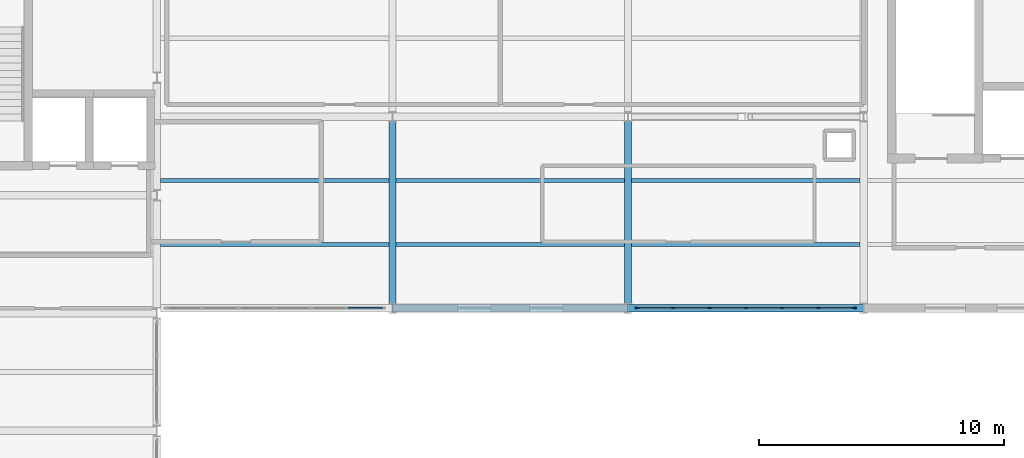
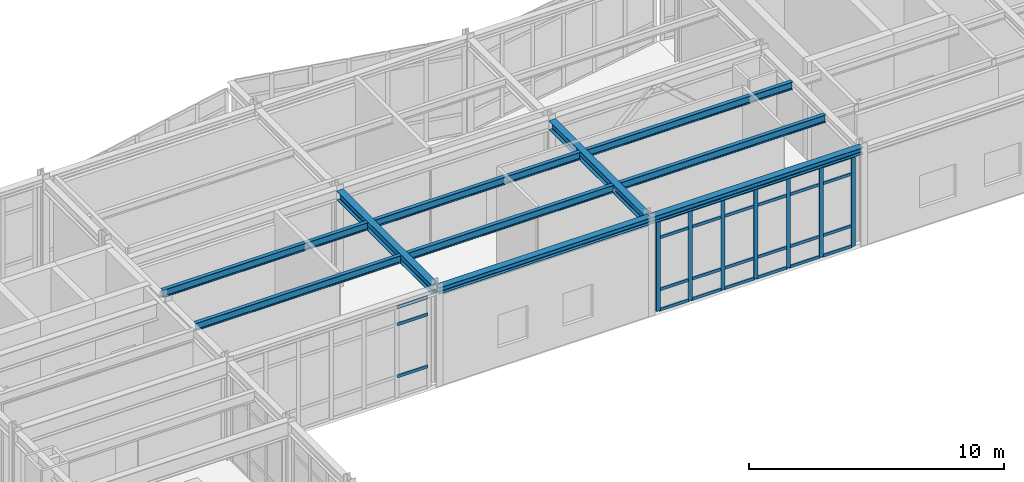
# One storey, part 10 of 28: 34 members, 10 beams, 2 elements without a shape of their own.
"""IFC4 building model written with IfcOpenShell, lengths in metres."""

from ifc_helpers import new_model, si_unit, direction, frame, origin, origin_2d, place, context, subcontext, project, spatial, rectangle, i_section, extrude, material, layer, layer_set, material_profile, profile_set, type_object, element, aggregate, save


model = new_model("IFC4")

# Units and contexts
model_context = context("Model", 3, precision=1e-05, world=origin(), true_north=direction((0.0, 1.0)))
body_context = subcontext(model_context, "Body", "Model", "MODEL_VIEW")
ifc_project = project(units=[si_unit("LENGTHUNIT", "METRE"), si_unit("AREAUNIT", "SQUARE_METRE"), si_unit("VOLUMEUNIT", "CUBIC_METRE"), si_unit("PLANEANGLEUNIT", "RADIAN"), si_unit("MASSUNIT", "GRAM", prefix="KILO")], contexts=[model_context])

# Site, building, storey
site_placement = place(None, origin())
site = spatial("IfcSite", under=ifc_project, at=site_placement, CompositionType="ELEMENT")
building_placement = place(site_placement, origin())
building = spatial("IfcBuilding", under=site, at=building_placement, Name="Nordkorset Police Headquarters", CompositionType="ELEMENT")
storey_placement = place(building_placement, frame((0.0, 0.0, 26.25)))
storey = spatial("IfcBuildingStorey", under=building, at=storey_placement, Name="L06", CompositionType="ELEMENT", Elevation=26.25)

# Beams
ifc_material_1 = material(Name="Steel S355J2", Category="steel")
ifc_material_profile_1 = material_profile(ifc_material_1, i_section(OverallWidth=0.169921875, OverallDepth=0.360107421875, WebThickness=0.008056640625, FlangeThickness=0.0126953125, FilletRadius=0.01806640625, at=origin_2d()), Name="IPE 360")
ifc_profile_set_1 = profile_set([ifc_material_profile_1], Name="Steel S355J2")
beam_type_1 = type_object("IfcBeamType", Name="Beam_IPE_360", PredefinedType="BEAM", material=ifc_profile_set_1)
for number, where, z_axis, x_axis, name in (
    (1, (28.949951171875, 105.199951171875, 4.485107421875), (1.0, 0.0, 0.0), (0.0, 1.0, 0.0), "Composite Floor Beam V2 L06 0-0-1"),
    (2, (28.949951171875, 107.800048828125, 4.485107421875), (1.0, 0.0, 0.0), (0.0, 1.0, 0.0), "Composite Floor Beam V2 L06 0-0-2"),
    (3, (38.550048828125, 105.199951171875, 4.485107421875), (1.0, 0.0, 0.0), (0.0, 1.0, 0.0), "Composite Floor Beam V2 L06 1-0-1"),
    (4, (38.550048828125, 107.800048828125, 4.485107421875), (1.0, 0.0, 0.0), (0.0, 1.0, 0.0), "Composite Floor Beam V2 L06 1-0-2"),
    (5, (48.14990234375, 105.199951171875, 4.485107421875), (1.0, 0.0, 0.0), (0.0, 1.0, 0.0), "Composite Floor Beam V2 L06 2-0-1"),
    (6, (48.14990234375, 107.800048828125, 4.485107421875), (1.0, 0.0, 0.0), (0.0, 1.0, 0.0), "Composite Floor Beam V2 L06 2-0-2"),
):
    element("IfcBeam", number, at=place(storey_placement, frame(where, z_axis=z_axis, x_axis=x_axis)), inside=storey, type_object=beam_type_1, Name=name, PredefinedType="BEAM", context=body_context, shape_type="SweptSolid", body=[
        extrude(i_section(OverallWidth=0.169921875, OverallDepth=0.360107421875, WebThickness=0.008056640625, FlangeThickness=0.0126953125, FilletRadius=0.01806640625, at=origin_2d()), origin(), (0.0, 0.0, 1.0), 9.300048828125),
    ])

# Curtain wall, members
ifc_material_2 = material(Name="Aluminium alloy AW-6060", Category="aluminium")
ifc_layer = layer(ifc_material_2, 0.179931640625, Name="Aluminium alloy AW-6060")
ifc_layer_set = layer_set([ifc_layer], Name="Aluminium alloy AW-6060")
curtain_wall_type = type_object("IfcCurtainWallType", Name="CW_Unit_888x434", PredefinedType="USERDEFINED", material=ifc_layer_set)
curtain_wall_1_placement = place(storey_placement, origin())
curtain_wall_1 = element("IfcCurtainWall", 7, at=curtain_wall_1_placement, inside=storey, type_object=curtain_wall_type, Name="Unitised Curtain Wall L06 V2S-2", ObjectType="UNITISED CURTAIN WALL", PredefinedType="USERDEFINED")
ifc_material_3 = material(Name="Aluminium alloy AW-6060", Category="aluminium")
ifc_material_profile_2 = material_profile(ifc_material_3, rectangle(XDim=0.06494140625, YDim=0.179931640625, at=origin_2d()), Name="ALU MULL 65x180")
ifc_profile_set_2 = profile_set([ifc_material_profile_2], Name="Aluminium alloy AW-6060")
member_type_1 = type_object("IfcMemberType", Name="CW_Mullion_65x180", PredefinedType="MULLION", material=ifc_profile_set_2)
member_1_placement = place(storey_placement, frame((48.392578125, 102.60009765625, 0.0), z_axis=(0.0, 0.0, 1.0), x_axis=(0.0, 1.0, 0.0)))
member_1 = element("IfcMember", 8, at=member_1_placement, type_object=member_type_1, Name="CW-74 mullion 1", PredefinedType="MULLION", context=body_context, shape_type="SweptSolid", body=[
    extrude(rectangle(XDim=0.06494140625, YDim=0.179931640625, at=origin_2d()), origin(), (0.0, 0.0, 1.0), 4.3349609375),
])
member_2_placement = place(storey_placement, frame((49.840087890625, 102.60009765625, 0.0), z_axis=(0.0, 0.0, 1.0), x_axis=(0.0, 1.0, 0.0)))
member_2 = element("IfcMember", 9, at=member_2_placement, type_object=member_type_1, Name="CW-74 mullion 2", PredefinedType="MULLION", context=body_context, shape_type="SweptSolid", body=[
    extrude(rectangle(XDim=0.06494140625, YDim=0.179931640625, at=origin_2d()), origin(), (0.0, 0.0, 1.0), 4.3349609375),
])
member_3_placement = place(storey_placement, frame((51.320068359375, 102.60009765625, 0.0), z_axis=(0.0, 0.0, 1.0), x_axis=(0.0, 1.0, 0.0)))
member_3 = element("IfcMember", 10, at=member_3_placement, type_object=member_type_1, Name="CW-74 mullion 3", PredefinedType="MULLION", context=body_context, shape_type="SweptSolid", body=[
    extrude(rectangle(XDim=0.06494140625, YDim=0.179931640625, at=origin_2d()), origin(), (0.0, 0.0, 1.0), 4.3349609375),
])
member_4_placement = place(storey_placement, frame((52.800048828125, 102.60009765625, 0.0), z_axis=(0.0, 0.0, 1.0), x_axis=(0.0, 1.0, 0.0)))
member_4 = element("IfcMember", 11, at=member_4_placement, type_object=member_type_1, Name="CW-74 mullion 4", PredefinedType="MULLION", context=body_context, shape_type="SweptSolid", body=[
    extrude(rectangle(XDim=0.06494140625, YDim=0.179931640625, at=origin_2d()), origin(), (0.0, 0.0, 1.0), 4.3349609375),
])
member_5_placement = place(storey_placement, frame((54.280029296875, 102.60009765625, 0.0), z_axis=(0.0, 0.0, 1.0), x_axis=(0.0, 1.0, 0.0)))
member_5 = element("IfcMember", 12, at=member_5_placement, type_object=member_type_1, Name="CW-74 mullion 5", PredefinedType="MULLION", context=body_context, shape_type="SweptSolid", body=[
    extrude(rectangle(XDim=0.06494140625, YDim=0.179931640625, at=origin_2d()), origin(), (0.0, 0.0, 1.0), 4.3349609375),
])
member_6_placement = place(storey_placement, frame((55.760009765625, 102.60009765625, 0.0), z_axis=(0.0, 0.0, 1.0), x_axis=(0.0, 1.0, 0.0)))
member_6 = element("IfcMember", 13, at=member_6_placement, type_object=member_type_1, Name="CW-74 mullion 6", PredefinedType="MULLION", context=body_context, shape_type="SweptSolid", body=[
    extrude(rectangle(XDim=0.06494140625, YDim=0.179931640625, at=origin_2d()), origin(), (0.0, 0.0, 1.0), 4.3349609375),
])
member_7_placement = place(storey_placement, frame((57.20751953125, 102.60009765625, 0.0), z_axis=(0.0, 0.0, 1.0), x_axis=(0.0, 1.0, 0.0)))
member_7 = element("IfcMember", 14, at=member_7_placement, type_object=member_type_1, Name="CW-74 mullion 7", PredefinedType="MULLION", context=body_context, shape_type="SweptSolid", body=[
    extrude(rectangle(XDim=0.06494140625, YDim=0.179931640625, at=origin_2d()), origin(), (0.0, 0.0, 1.0), 4.3349609375),
])

curtain_wall_2_placement = place(storey_placement, origin())
curtain_wall_2 = element("IfcCurtainWall", 15, at=curtain_wall_2_placement, inside=storey, type_object=curtain_wall_type, Name="Unitised Curtain Wall L06 V2S-0", ObjectType="UNITISED CURTAIN WALL", PredefinedType="USERDEFINED")
ifc_material_4 = material(Name="Aluminium alloy AW-6060", Category="aluminium")
ifc_material_profile_3 = material_profile(ifc_material_4, rectangle(XDim=0.06494140625, YDim=0.139892578125, at=origin_2d()), Name="ALU TRAN 65x140")
ifc_profile_set_3 = profile_set([ifc_material_profile_3], Name="Aluminium alloy AW-6060")
member_type_2 = type_object("IfcMemberType", Name="CW_Transom_65x140", PredefinedType="USERDEFINED", material=ifc_profile_set_3)
member_8_placement = place(storey_placement, frame((36.592529296875, 102.60009765625, 1.0), z_axis=(1.0, 0.0, 0.0), x_axis=(0.0, 1.0, 0.0)))
member_8 = element("IfcMember", 16, at=member_8_placement, type_object=member_type_2, Name="CW-74 transom 6.2", ObjectType="TRANSOM", PredefinedType="USERDEFINED", context=body_context, shape_type="SweptSolid", body=[
    extrude(rectangle(XDim=0.06494140625, YDim=0.139892578125, at=origin_2d()), origin(), (0.0, 0.0, 1.0), 1.382568359375),
])
member_9_placement = place(storey_placement, frame((36.592529296875, 102.60009765625, 3.485107421875), z_axis=(1.0, 0.0, 0.0), x_axis=(0.0, 1.0, 0.0)))
member_9 = element("IfcMember", 17, at=member_9_placement, type_object=member_type_2, Name="CW-74 transom 6.3", ObjectType="TRANSOM", PredefinedType="USERDEFINED", context=body_context, shape_type="SweptSolid", body=[
    extrude(rectangle(XDim=0.06494140625, YDim=0.139892578125, at=origin_2d()), origin(), (0.0, 0.0, 1.0), 1.382568359375),
])
member_10_placement = place(storey_placement, frame((36.592529296875, 102.60009765625, 4.302490234375), z_axis=(1.0, 0.0, 0.0), x_axis=(0.0, 1.0, 0.0)))
member_10 = element("IfcMember", 18, at=member_10_placement, type_object=member_type_2, Name="CW-74 transom 6.4", ObjectType="TRANSOM", PredefinedType="USERDEFINED", context=body_context, shape_type="SweptSolid", body=[
    extrude(rectangle(XDim=0.06494140625, YDim=0.139892578125, at=origin_2d()), origin(), (0.0, 0.0, 1.0), 1.382568359375),
])
aggregate(curtain_wall_2, [member_8, member_9, member_10])

# Member
member_11_placement = place(storey_placement, frame((48.425048828125, 102.60009765625, 0.032470703125), z_axis=(1.0, 0.0, 0.0), x_axis=(0.0, 1.0, 0.0)))
member_11 = element("IfcMember", 19, at=member_11_placement, type_object=member_type_2, Name="CW-74 transom 1.1", ObjectType="TRANSOM", PredefinedType="USERDEFINED", context=body_context, shape_type="SweptSolid", body=[
    extrude(rectangle(XDim=0.06494140625, YDim=0.139892578125, at=origin_2d()), origin(), (0.0, 0.0, 1.0), 1.382568359375),
])

member_12_placement = place(storey_placement, frame((48.425048828125, 102.60009765625, 1.0), z_axis=(1.0, 0.0, 0.0), x_axis=(0.0, 1.0, 0.0)))
member_12 = element("IfcMember", 20, at=member_12_placement, type_object=member_type_2, Name="CW-74 transom 1.2", ObjectType="TRANSOM", PredefinedType="USERDEFINED", context=body_context, shape_type="SweptSolid", body=[
    extrude(rectangle(XDim=0.06494140625, YDim=0.139892578125, at=origin_2d()), origin(), (0.0, 0.0, 1.0), 1.382568359375),
])

member_13_placement = place(storey_placement, frame((48.425048828125, 102.60009765625, 3.485107421875), z_axis=(1.0, 0.0, 0.0), x_axis=(0.0, 1.0, 0.0)))
member_13 = element("IfcMember", 21, at=member_13_placement, type_object=member_type_2, Name="CW-74 transom 1.3", ObjectType="TRANSOM", PredefinedType="USERDEFINED", context=body_context, shape_type="SweptSolid", body=[
    extrude(rectangle(XDim=0.06494140625, YDim=0.139892578125, at=origin_2d()), origin(), (0.0, 0.0, 1.0), 1.382568359375),
])

member_14_placement = place(storey_placement, frame((48.425048828125, 102.60009765625, 4.302490234375), z_axis=(1.0, 0.0, 0.0), x_axis=(0.0, 1.0, 0.0)))
member_14 = element("IfcMember", 22, at=member_14_placement, type_object=member_type_2, Name="CW-74 transom 1.4", ObjectType="TRANSOM", PredefinedType="USERDEFINED", context=body_context, shape_type="SweptSolid", body=[
    extrude(rectangle(XDim=0.06494140625, YDim=0.139892578125, at=origin_2d()), origin(), (0.0, 0.0, 1.0), 1.382568359375),
])

member_15_placement = place(storey_placement, frame((49.87255859375, 102.60009765625, 0.032470703125), z_axis=(1.0, 0.0, 0.0), x_axis=(0.0, 1.0, 0.0)))
member_15 = element("IfcMember", 23, at=member_15_placement, type_object=member_type_2, Name="CW-74 transom 2.1", ObjectType="TRANSOM", PredefinedType="USERDEFINED", context=body_context, shape_type="SweptSolid", body=[
    extrude(rectangle(XDim=0.06494140625, YDim=0.139892578125, at=origin_2d()), origin(), (0.0, 0.0, 1.0), 1.4150390625),
])

member_16_placement = place(storey_placement, frame((49.87255859375, 102.60009765625, 1.0), z_axis=(1.0, 0.0, 0.0), x_axis=(0.0, 1.0, 0.0)))
member_16 = element("IfcMember", 24, at=member_16_placement, type_object=member_type_2, Name="CW-74 transom 2.2", ObjectType="TRANSOM", PredefinedType="USERDEFINED", context=body_context, shape_type="SweptSolid", body=[
    extrude(rectangle(XDim=0.06494140625, YDim=0.139892578125, at=origin_2d()), origin(), (0.0, 0.0, 1.0), 1.4150390625),
])

member_17_placement = place(storey_placement, frame((49.87255859375, 102.60009765625, 3.485107421875), z_axis=(1.0, 0.0, 0.0), x_axis=(0.0, 1.0, 0.0)))
member_17 = element("IfcMember", 25, at=member_17_placement, type_object=member_type_2, Name="CW-74 transom 2.3", ObjectType="TRANSOM", PredefinedType="USERDEFINED", context=body_context, shape_type="SweptSolid", body=[
    extrude(rectangle(XDim=0.06494140625, YDim=0.139892578125, at=origin_2d()), origin(), (0.0, 0.0, 1.0), 1.4150390625),
])

member_18_placement = place(storey_placement, frame((49.87255859375, 102.60009765625, 4.302490234375), z_axis=(1.0, 0.0, 0.0), x_axis=(0.0, 1.0, 0.0)))
member_18 = element("IfcMember", 26, at=member_18_placement, type_object=member_type_2, Name="CW-74 transom 2.4", ObjectType="TRANSOM", PredefinedType="USERDEFINED", context=body_context, shape_type="SweptSolid", body=[
    extrude(rectangle(XDim=0.06494140625, YDim=0.139892578125, at=origin_2d()), origin(), (0.0, 0.0, 1.0), 1.4150390625),
])

member_19_placement = place(storey_placement, frame((51.3525390625, 102.60009765625, 0.032470703125), z_axis=(1.0, 0.0, 0.0), x_axis=(0.0, 1.0, 0.0)))
member_19 = element("IfcMember", 27, at=member_19_placement, type_object=member_type_2, Name="CW-74 transom 3.1", ObjectType="TRANSOM", PredefinedType="USERDEFINED", context=body_context, shape_type="SweptSolid", body=[
    extrude(rectangle(XDim=0.06494140625, YDim=0.139892578125, at=origin_2d()), origin(), (0.0, 0.0, 1.0), 1.4150390625),
])

member_20_placement = place(storey_placement, frame((51.3525390625, 102.60009765625, 1.0), z_axis=(1.0, 0.0, 0.0), x_axis=(0.0, 1.0, 0.0)))
member_20 = element("IfcMember", 28, at=member_20_placement, type_object=member_type_2, Name="CW-74 transom 3.2", ObjectType="TRANSOM", PredefinedType="USERDEFINED", context=body_context, shape_type="SweptSolid", body=[
    extrude(rectangle(XDim=0.06494140625, YDim=0.139892578125, at=origin_2d()), origin(), (0.0, 0.0, 1.0), 1.4150390625),
])

member_21_placement = place(storey_placement, frame((51.3525390625, 102.60009765625, 3.485107421875), z_axis=(1.0, 0.0, 0.0), x_axis=(0.0, 1.0, 0.0)))
member_21 = element("IfcMember", 29, at=member_21_placement, type_object=member_type_2, Name="CW-74 transom 3.3", ObjectType="TRANSOM", PredefinedType="USERDEFINED", context=body_context, shape_type="SweptSolid", body=[
    extrude(rectangle(XDim=0.06494140625, YDim=0.139892578125, at=origin_2d()), origin(), (0.0, 0.0, 1.0), 1.4150390625),
])

member_22_placement = place(storey_placement, frame((51.3525390625, 102.60009765625, 4.302490234375), z_axis=(1.0, 0.0, 0.0), x_axis=(0.0, 1.0, 0.0)))
member_22 = element("IfcMember", 30, at=member_22_placement, type_object=member_type_2, Name="CW-74 transom 3.4", ObjectType="TRANSOM", PredefinedType="USERDEFINED", context=body_context, shape_type="SweptSolid", body=[
    extrude(rectangle(XDim=0.06494140625, YDim=0.139892578125, at=origin_2d()), origin(), (0.0, 0.0, 1.0), 1.4150390625),
])

member_23_placement = place(storey_placement, frame((52.83251953125, 102.60009765625, 0.032470703125), z_axis=(1.0, 0.0, 0.0), x_axis=(0.0, 1.0, 0.0)))
member_23 = element("IfcMember", 31, at=member_23_placement, type_object=member_type_2, Name="CW-74 transom 4.1", ObjectType="TRANSOM", PredefinedType="USERDEFINED", context=body_context, shape_type="SweptSolid", body=[
    extrude(rectangle(XDim=0.06494140625, YDim=0.139892578125, at=origin_2d()), origin(), (0.0, 0.0, 1.0), 1.4150390625),
])

member_24_placement = place(storey_placement, frame((52.83251953125, 102.60009765625, 1.0), z_axis=(1.0, 0.0, 0.0), x_axis=(0.0, 1.0, 0.0)))
member_24 = element("IfcMember", 32, at=member_24_placement, type_object=member_type_2, Name="CW-74 transom 4.2", ObjectType="TRANSOM", PredefinedType="USERDEFINED", context=body_context, shape_type="SweptSolid", body=[
    extrude(rectangle(XDim=0.06494140625, YDim=0.139892578125, at=origin_2d()), origin(), (0.0, 0.0, 1.0), 1.4150390625),
])

member_25_placement = place(storey_placement, frame((52.83251953125, 102.60009765625, 3.485107421875), z_axis=(1.0, 0.0, 0.0), x_axis=(0.0, 1.0, 0.0)))
member_25 = element("IfcMember", 33, at=member_25_placement, type_object=member_type_2, Name="CW-74 transom 4.3", ObjectType="TRANSOM", PredefinedType="USERDEFINED", context=body_context, shape_type="SweptSolid", body=[
    extrude(rectangle(XDim=0.06494140625, YDim=0.139892578125, at=origin_2d()), origin(), (0.0, 0.0, 1.0), 1.4150390625),
])

member_26_placement = place(storey_placement, frame((52.83251953125, 102.60009765625, 4.302490234375), z_axis=(1.0, 0.0, 0.0), x_axis=(0.0, 1.0, 0.0)))
member_26 = element("IfcMember", 34, at=member_26_placement, type_object=member_type_2, Name="CW-74 transom 4.4", ObjectType="TRANSOM", PredefinedType="USERDEFINED", context=body_context, shape_type="SweptSolid", body=[
    extrude(rectangle(XDim=0.06494140625, YDim=0.139892578125, at=origin_2d()), origin(), (0.0, 0.0, 1.0), 1.4150390625),
])

member_27_placement = place(storey_placement, frame((54.3125, 102.60009765625, 0.032470703125), z_axis=(1.0, 0.0, 0.0), x_axis=(0.0, 1.0, 0.0)))
member_27 = element("IfcMember", 35, at=member_27_placement, type_object=member_type_2, Name="CW-74 transom 5.1", ObjectType="TRANSOM", PredefinedType="USERDEFINED", context=body_context, shape_type="SweptSolid", body=[
    extrude(rectangle(XDim=0.06494140625, YDim=0.139892578125, at=origin_2d()), origin(), (0.0, 0.0, 1.0), 1.4150390625),
])

member_28_placement = place(storey_placement, frame((54.3125, 102.60009765625, 1.0), z_axis=(1.0, 0.0, 0.0), x_axis=(0.0, 1.0, 0.0)))
member_28 = element("IfcMember", 36, at=member_28_placement, type_object=member_type_2, Name="CW-74 transom 5.2", ObjectType="TRANSOM", PredefinedType="USERDEFINED", context=body_context, shape_type="SweptSolid", body=[
    extrude(rectangle(XDim=0.06494140625, YDim=0.139892578125, at=origin_2d()), origin(), (0.0, 0.0, 1.0), 1.4150390625),
])

member_29_placement = place(storey_placement, frame((54.3125, 102.60009765625, 3.485107421875), z_axis=(1.0, 0.0, 0.0), x_axis=(0.0, 1.0, 0.0)))
member_29 = element("IfcMember", 37, at=member_29_placement, type_object=member_type_2, Name="CW-74 transom 5.3", ObjectType="TRANSOM", PredefinedType="USERDEFINED", context=body_context, shape_type="SweptSolid", body=[
    extrude(rectangle(XDim=0.06494140625, YDim=0.139892578125, at=origin_2d()), origin(), (0.0, 0.0, 1.0), 1.4150390625),
])

member_30_placement = place(storey_placement, frame((54.3125, 102.60009765625, 4.302490234375), z_axis=(1.0, 0.0, 0.0), x_axis=(0.0, 1.0, 0.0)))
member_30 = element("IfcMember", 38, at=member_30_placement, type_object=member_type_2, Name="CW-74 transom 5.4", ObjectType="TRANSOM", PredefinedType="USERDEFINED", context=body_context, shape_type="SweptSolid", body=[
    extrude(rectangle(XDim=0.06494140625, YDim=0.139892578125, at=origin_2d()), origin(), (0.0, 0.0, 1.0), 1.4150390625),
])

member_31_placement = place(storey_placement, frame((55.79248046875, 102.60009765625, 0.032470703125), z_axis=(1.0, 0.0, 0.0), x_axis=(0.0, 1.0, 0.0)))
member_31 = element("IfcMember", 39, at=member_31_placement, type_object=member_type_2, Name="CW-74 transom 6.1", ObjectType="TRANSOM", PredefinedType="USERDEFINED", context=body_context, shape_type="SweptSolid", body=[
    extrude(rectangle(XDim=0.06494140625, YDim=0.139892578125, at=origin_2d()), origin(), (0.0, 0.0, 1.0), 1.382568359375),
])

member_32_placement = place(storey_placement, frame((55.79248046875, 102.60009765625, 1.0), z_axis=(1.0, 0.0, 0.0), x_axis=(0.0, 1.0, 0.0)))
member_32 = element("IfcMember", 40, at=member_32_placement, type_object=member_type_2, Name="CW-74 transom 6.2", ObjectType="TRANSOM", PredefinedType="USERDEFINED", context=body_context, shape_type="SweptSolid", body=[
    extrude(rectangle(XDim=0.06494140625, YDim=0.139892578125, at=origin_2d()), origin(), (0.0, 0.0, 1.0), 1.382568359375),
])

member_33_placement = place(storey_placement, frame((55.79248046875, 102.60009765625, 3.485107421875), z_axis=(1.0, 0.0, 0.0), x_axis=(0.0, 1.0, 0.0)))
member_33 = element("IfcMember", 41, at=member_33_placement, type_object=member_type_2, Name="CW-74 transom 6.3", ObjectType="TRANSOM", PredefinedType="USERDEFINED", context=body_context, shape_type="SweptSolid", body=[
    extrude(rectangle(XDim=0.06494140625, YDim=0.139892578125, at=origin_2d()), origin(), (0.0, 0.0, 1.0), 1.382568359375),
])

member_34_placement = place(storey_placement, frame((55.79248046875, 102.60009765625, 4.302490234375), z_axis=(1.0, 0.0, 0.0), x_axis=(0.0, 1.0, 0.0)))
member_34 = element("IfcMember", 42, at=member_34_placement, type_object=member_type_2, Name="CW-74 transom 6.4", ObjectType="TRANSOM", PredefinedType="USERDEFINED", context=body_context, shape_type="SweptSolid", body=[
    extrude(rectangle(XDim=0.06494140625, YDim=0.139892578125, at=origin_2d()), origin(), (0.0, 0.0, 1.0), 1.382568359375),
])

aggregate(curtain_wall_1, [member_1, member_2, member_3, member_4, member_5, member_6, member_7, member_11, member_12, member_13, member_14, member_15, member_16, member_17, member_18, member_19, member_20, member_21, member_22, member_23, member_24, member_25, member_26, member_27, member_28, member_29, member_30, member_31, member_32, member_33, member_34])

# Beams
ifc_material_5 = material(Name="Steel S355J2", Category="steel")
ifc_material_profile_4 = material_profile(ifc_material_5, i_section(OverallWidth=0.300048828125, OverallDepth=0.43994140625, WebThickness=0.011474609375, FlangeThickness=0.02099609375, FilletRadius=0.027099609375, at=origin_2d()), Name="HEA 450")
ifc_profile_set_4 = profile_set([ifc_material_profile_4], Name="Steel S355J2")
beam_type_2 = type_object("IfcBeamType", Name="Girder_HEA_450", PredefinedType="USERDEFINED", material=ifc_profile_set_4)
for number, where, z_axis, x_axis, name in (
    (43, (38.39990234375, 102.800048828125, 4.445068359375), (0.0, 1.0, 0.0), (-1.0, 0.0, 0.0), "Girder V2 L06 GY-1-0"),
    (44, (48.0, 102.800048828125, 4.445068359375), (0.0, 1.0, 0.0), (-1.0, 0.0, 0.0), "Girder V2 L06 GY-2-0"),
):
    element("IfcBeam", number, at=place(storey_placement, frame(where, z_axis=z_axis, x_axis=x_axis)), inside=storey, type_object=beam_type_2, Name=name, ObjectType="GIRDER", PredefinedType="USERDEFINED", context=body_context, shape_type="SweptSolid", body=[
        extrude(i_section(OverallWidth=0.300048828125, OverallDepth=0.43994140625, WebThickness=0.011474609375, FlangeThickness=0.02099609375, FilletRadius=0.027099609375, at=origin_2d()), origin(), (0.0, 0.0, 1.0), 7.39990234375),
    ])
ifc_material_6 = material(Name="Steel S355J2", Category="steel")
ifc_material_profile_5 = material_profile(ifc_material_6, i_section(OverallWidth=0.300048828125, OverallDepth=0.31005859375, WebThickness=0.009033203125, FlangeThickness=0.015380859375, FilletRadius=0.027099609375, at=origin_2d()), Name="HEA 320")
ifc_profile_set_5 = profile_set([ifc_material_profile_5], Name="Steel S355J2")
beam_type_3 = type_object("IfcBeamType", Name="Spandrel_HEA_320", PredefinedType="SPANDREL", material=ifc_profile_set_5)
for number, where, z_axis, x_axis, name in (
    (45, (38.40673828125, 102.60009765625, 4.510009765625), (1.0, 0.0, 0.0), (0.0, 1.0, 0.0), "Girder V2 L06 GX-0-1"),
    (46, (48.006591796875, 102.60009765625, 4.510009765625), (1.0, 0.0, 0.0), (0.0, 1.0, 0.0), "Girder V2 L06 GX-0-2"),
):
    element("IfcBeam", number, at=place(storey_placement, frame(where, z_axis=z_axis, x_axis=x_axis)), inside=storey, type_object=beam_type_3, Name=name, PredefinedType="SPANDREL", context=body_context, shape_type="SweptSolid", body=[
        extrude(i_section(OverallWidth=0.300048828125, OverallDepth=0.31005859375, WebThickness=0.009033203125, FlangeThickness=0.015380859375, FilletRadius=0.027099609375, at=origin_2d()), origin(), (0.0, 0.0, 1.0), 9.586669921875),
    ])

save(model, "model.ifc")
